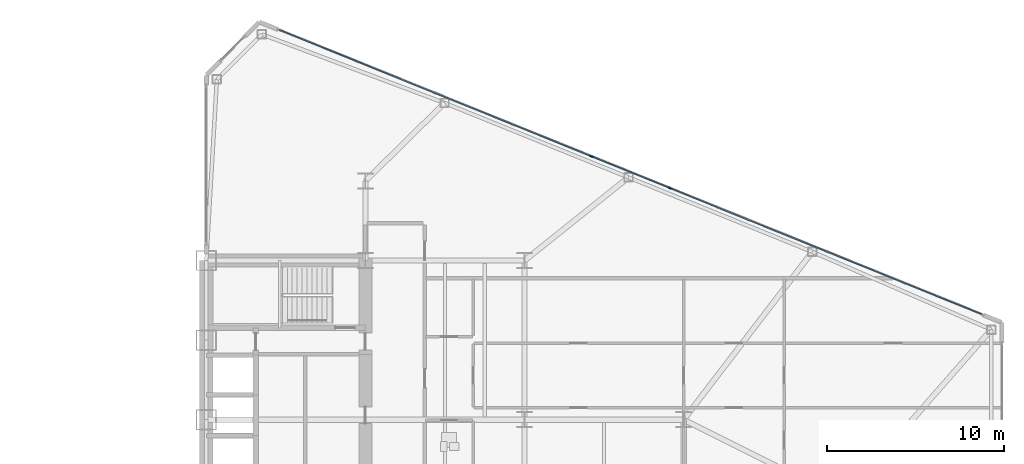
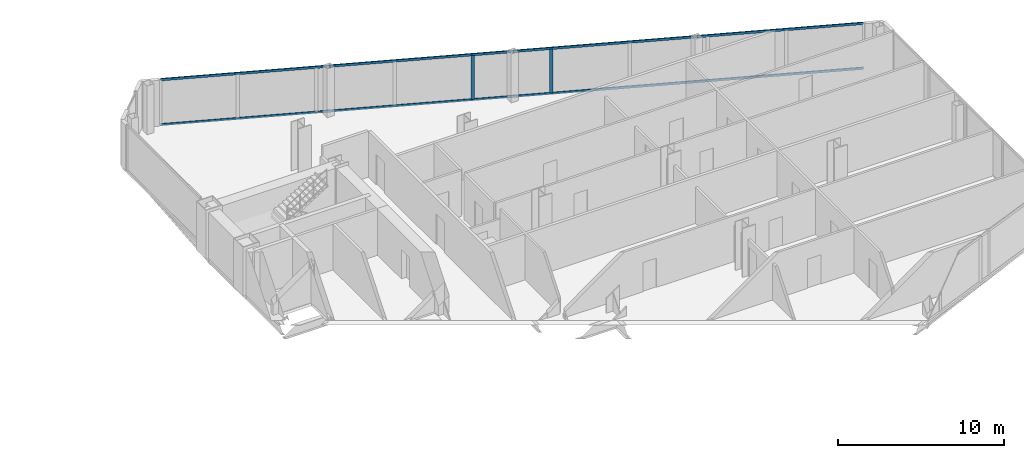
# One storey, part 12 of 25: 4 members, 1 element without a shape of its own.
"""IFC4 building model written with IfcOpenShell, lengths in metres."""

from ifc_helpers import new_model, si_unit, direction, frame, origin, origin_2d, place, context, subcontext, project, spatial, rectangle, extrude, source, transform, mapped, material, layer, layer_set, material_profile, profile_set, type_object, type_shapes, element, aggregate, save


model = new_model("IFC4")

# Units and contexts
model_context = context("Model", 3, precision=1e-05, world=origin(), true_north=direction((0.0, 1.0)))
body_context = subcontext(model_context, "Body", "Model", "MODEL_VIEW")
ifc_project = project(units=[si_unit("LENGTHUNIT", "METRE"), si_unit("AREAUNIT", "SQUARE_METRE"), si_unit("VOLUMEUNIT", "CUBIC_METRE"), si_unit("PLANEANGLEUNIT", "RADIAN"), si_unit("MASSUNIT", "GRAM", prefix="KILO")], contexts=[model_context])

# Site, building, storey
site_placement = place(None, origin())
site = spatial("IfcSite", under=ifc_project, at=site_placement, CompositionType="ELEMENT")
building_placement = place(site_placement, origin())
building = spatial("IfcBuilding", under=site, at=building_placement, Name="Seokmaru Belvedere", CompositionType="ELEMENT")
storey_placement = place(building_placement, frame((0.0, 0.0, 44.10009765625)))
storey = spatial("IfcBuildingStorey", under=building, at=storey_placement, Name="L11", CompositionType="ELEMENT", Elevation=44.10009765625)

# Curtain wall, members
ifc_material_1 = material(Name="Bronze Triple Insulating Glass", Category="glass")
ifc_layer = layer(ifc_material_1, 0.2099609375)
ifc_layer_set = layer_set([ifc_layer], Name="Bronze Triple Insulating Glass")
curtain_wall_type = type_object("IfcCurtainWallType", Name="Low-Rise Faceted Crystal Curtain Wall System CW-2", PredefinedType="NOTDEFINED", material=ifc_layer_set)
curtain_wall_placement = place(storey_placement, origin())
curtain_wall = element("IfcCurtainWall", 1, at=curtain_wall_placement, inside=storey, type_object=curtain_wall_type, Name="L11 Curtain Wall EF3", PredefinedType="NOTDEFINED")
ifc_material_2 = material(Name="Anodised Bronze Aluminium", Category="aluminium")
ifc_material_profile_1 = material_profile(ifc_material_2, rectangle(XDim=0.074951171875, YDim=0.2099609375, at=origin_2d()), Name="CW-M-75x210")
ifc_profile_set_1 = profile_set([ifc_material_profile_1], Name="Anodised Bronze Aluminium")
member_type_1 = type_object("IfcMemberType", Name="Bronze Unitised Mullion 75x210", PredefinedType="MULLION", material=ifc_profile_set_1)
shared_shape_1 = source(origin(), body_context, "Body", "SweptSolid", [
    extrude(rectangle(XDim=0.074951171875, YDim=0.2099609375, at=origin_2d()), origin(), (0.0, 0.0, 1.0), 3.239990234375),
])
type_shapes(member_type_1, [shared_shape_1])
member_1_placement = place(storey_placement, frame((53.71484375, 17.603515625, 0.06982421875), z_axis=(0.0, 0.0, 1.0), x_axis=(-0.375192321888, -0.926946989637, 0.0)))
member_1 = element("IfcMember", 2, at=member_1_placement, type_object=member_type_1, Name="CW:L11:EF3 Mullion 5", PredefinedType="MULLION", context=body_context, shape_type="MappedRepresentation", body=[
    mapped(shared_shape_1, transform((0.0, 0.0, 0.0), scale=1.0)),
])
member_2_placement = place(storey_placement, frame((49.28515625, 19.396484375, 0.06982421875), z_axis=(0.0, 0.0, 1.0), x_axis=(-0.375192321888, -0.926946989637, 0.0)))
member_2 = element("IfcMember", 3, at=member_2_placement, type_object=member_type_1, Name="CW:L11:EF3 Mullion 6", PredefinedType="MULLION", context=body_context, shape_type="MappedRepresentation", body=[
    mapped(shared_shape_1, transform((0.0, 0.0, 0.0), scale=1.0)),
])
ifc_material_profile_2 = material_profile(ifc_material_2, rectangle(XDim=0.070068359375, YDim=0.1650390625, at=origin_2d()), Name="CW-T-70x165")
ifc_profile_set_2 = profile_set([ifc_material_profile_2], Name="Anodised Bronze Aluminium")
member_type_2 = type_object("IfcMemberType", Name="Bronze Unitised Transom 70x165", PredefinedType="USERDEFINED", material=ifc_profile_set_2)
shared_shape_2 = source(origin(), body_context, "Body", "SweptSolid", [
    extrude(rectangle(XDim=0.070068359375, YDim=0.1650390625, at=origin_2d()), origin(), (0.0, 0.0, 1.0), 42.860107421875),
])
type_shapes(member_type_2, [shared_shape_2])
member_3_placement = place(storey_placement, frame((71.364501953125, 10.459716796875, 0.034912109375), z_axis=(-0.926948605599, 0.375188329481, 0.0), x_axis=(-0.375188329481, -0.926948605599, 0.0)))
member_3 = element("IfcMember", 4, at=member_3_placement, type_object=member_type_2, Name="CW:L11:EF3 Continuous Transom 1", ObjectType="TRANSOM", PredefinedType="USERDEFINED", context=body_context, shape_type="MappedRepresentation", body=[
    mapped(shared_shape_2, transform((0.0, 0.0, 0.0), scale=1.0)),
])
member_4_placement = place(storey_placement, frame((71.364501953125, 10.459716796875, 3.344970703125), z_axis=(-0.926948605599, 0.375188329481, 0.0), x_axis=(-0.375188329481, -0.926948605599, 0.0)))
member_4 = element("IfcMember", 5, at=member_4_placement, type_object=member_type_2, Name="CW:L11:EF3 Continuous Transom 2", ObjectType="TRANSOM", PredefinedType="USERDEFINED", context=body_context, shape_type="MappedRepresentation", body=[
    mapped(shared_shape_2, transform((0.0, 0.0, 0.0), scale=1.0)),
])
aggregate(curtain_wall, [member_1, member_2, member_3, member_4])

save(model, "model.ifc")
